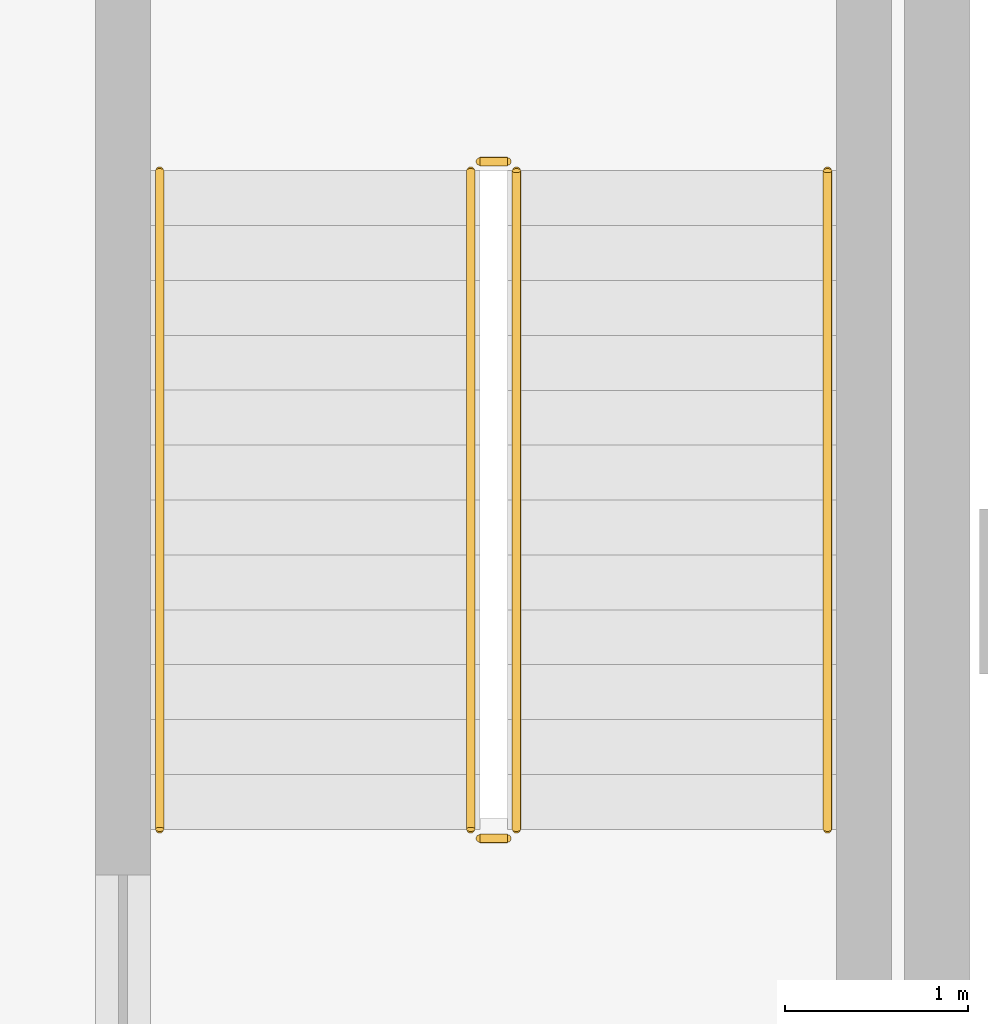
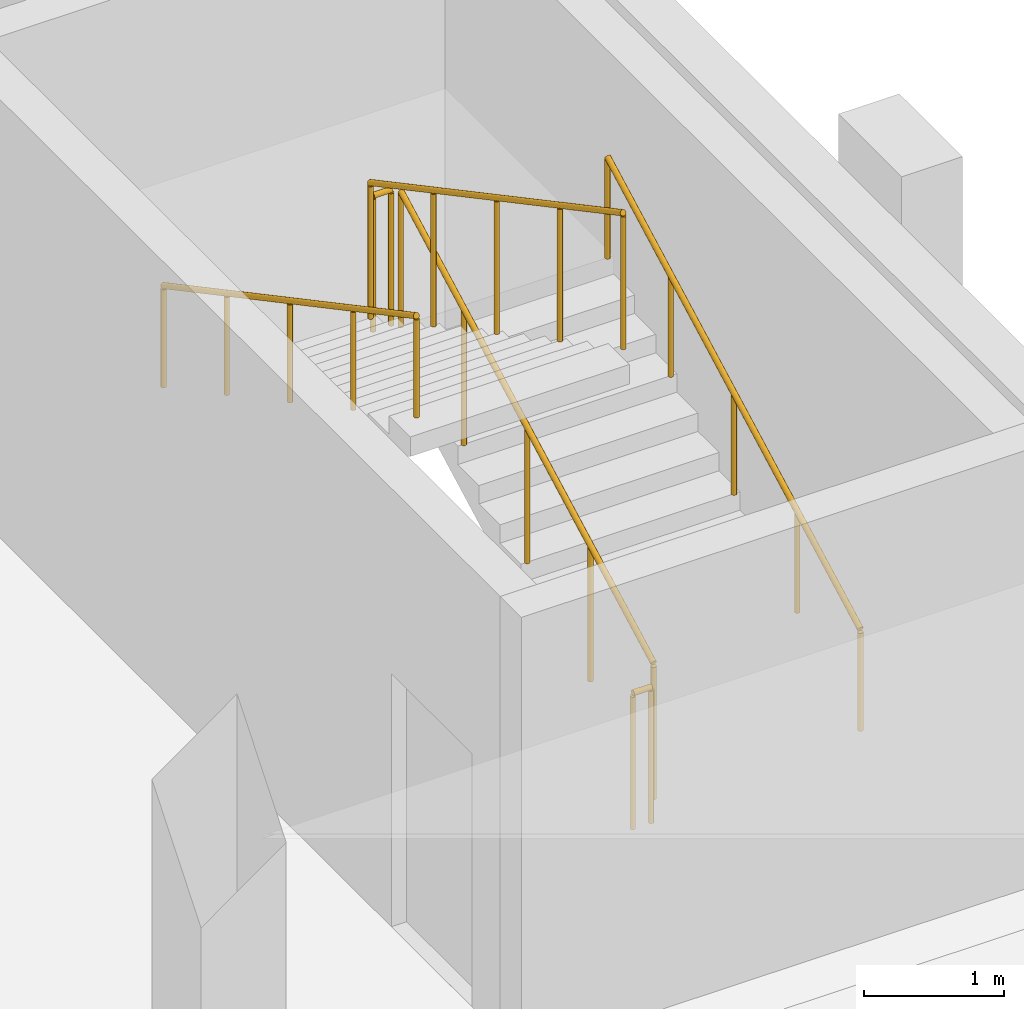
# One storey, part 61 of 62: 6 railings.
"""IFC4 building model written with IfcOpenShell, lengths in metres."""

from ifc_helpers import new_model, si_unit, direction, frame, origin, origin_2d, place, context, subcontext, project, spatial, circle, extrude, material, type_object, element, save


model = new_model("IFC4")

# Units and contexts
model_context = context("Model", 3, precision=1e-05, world=origin(), true_north=direction((0.0, 1.0)))
body_context = subcontext(model_context, "Body", "Model", "MODEL_VIEW")
ifc_project = project(units=[si_unit("LENGTHUNIT", "METRE"), si_unit("AREAUNIT", "SQUARE_METRE"), si_unit("VOLUMEUNIT", "CUBIC_METRE"), si_unit("PLANEANGLEUNIT", "RADIAN"), si_unit("MASSUNIT", "GRAM", prefix="KILO")], contexts=[model_context])

# Site, building, storey
site_placement = place(None, origin())
site = spatial("IfcSite", under=ifc_project, at=site_placement, CompositionType="ELEMENT")
building_placement = place(site_placement, origin())
building = spatial("IfcBuilding", under=site, at=building_placement, Name="Valkovuoma Quantum and Materials Research Institute", CompositionType="ELEMENT")
storey_placement = place(building_placement, frame((0.0, 0.0, 8.9599609375)))
storey = spatial("IfcBuildingStorey", under=building, at=storey_placement, Name="L02", CompositionType="ELEMENT", Elevation=8.9599609375)

# Railings
ifc_material_1 = material(Name="Painted steel stair balustrade", Category="steel")
railing_type_1 = type_object("IfcRailingType", Name="Rail-GRD-ST", PredefinedType="BALUSTRADE", material=ifc_material_1)
railing_1_placement = place(storey_placement, frame((163.300048828125, 59.89990234375, 0.16015625)))
element("IfcRailing", 1, at=railing_1_placement, inside=storey, type_object=railing_type_1, Name="L02 ST-3 stair guard 1", PredefinedType="BALUSTRADE", context=body_context, shape_type="SweptSolid", body=[
    extrude(circle(Radius=0.02392578125, at=origin_2d()), frame((0.0, 0.0, 1.17578125), z_axis=(0.0, 0.882366192074, 0.470563389019), x_axis=(-1.0, 0.0, 0.0)), (0.0, 0.0, 1.0), 4.080078125),
    extrude(circle(Radius=0.02099609375, at=origin_2d()), origin(), (0.0, 0.0, 1.0), 1.15185546875),
    extrude(circle(Radius=0.02099609375, at=origin_2d()), frame((0.0, 0.89990234375, 0.47998046875)), (0.0, 0.0, 1.0), 1.15185546875),
    extrude(circle(Radius=0.02099609375, at=origin_2d()), frame((0.0, 1.800048828125, 0.9599609375)), (0.0, 0.0, 1.0), 1.15185546875),
    extrude(circle(Radius=0.02099609375, at=origin_2d()), frame((0.0, 2.7001953125, 1.43994140625)), (0.0, 0.0, 1.0), 1.15185546875),
    extrude(circle(Radius=0.02099609375, at=origin_2d()), frame((0.0, 3.60009765625, 1.919921875)), (0.0, 0.0, 1.0), 1.15185546875),
])
railing_2_placement = place(storey_placement, frame((163.25, 63.550048828125, 2.080078125)))
element("IfcRailing", 2, at=railing_2_placement, inside=storey, type_object=railing_type_1, Name="L02 ST-3 stair guard 2", PredefinedType="BALUSTRADE", context=body_context, shape_type="SweptSolid", body=[
    extrude(circle(Radius=0.02392578125, at=origin_2d()), frame((0.0, 0.0, 1.17578125), z_axis=(-1.0, 0.0, 0.0), x_axis=(0.0, -1.0, 0.0)), (0.0, 0.0, 1.0), 0.14990234375),
    extrude(circle(Radius=0.02099609375, at=origin_2d()), origin(), (0.0, 0.0, 1.0), 1.15185546875),
    extrude(circle(Radius=0.02099609375, at=origin_2d()), frame((-0.14990234375, 0.0, 0.0)), (0.0, 0.0, 1.0), 1.15185546875),
])
railing_3_placement = place(storey_placement, frame((163.050048828125, 63.5, 2.239990234375)))
element("IfcRailing", 3, at=railing_3_placement, inside=storey, type_object=railing_type_1, Name="L02 ST-3 stair guard 3", PredefinedType="BALUSTRADE", context=body_context, shape_type="SweptSolid", body=[
    extrude(circle(Radius=0.02392578125, at=origin_2d()), frame((0.0, 0.0, 1.17578125), z_axis=(0.0, -0.882341346394, 0.470609974867), x_axis=(1.0, 0.0, 0.0)), (0.0, 0.0, 1.0), 4.080078125),
    extrude(circle(Radius=0.02099609375, at=origin_2d()), origin(), (0.0, 0.0, 1.0), 1.15185546875),
    extrude(circle(Radius=0.02099609375, at=origin_2d()), frame((0.0, -0.89990234375, 0.47998046875)), (0.0, 0.0, 1.0), 1.15185546875),
    extrude(circle(Radius=0.02099609375, at=origin_2d()), frame((0.0, -1.800048828125, 0.9599609375)), (0.0, 0.0, 1.0), 1.15185546875),
    extrude(circle(Radius=0.02099609375, at=origin_2d()), frame((0.0, -2.7001953125, 1.440185546875)), (0.0, 0.0, 1.0), 1.15185546875),
    extrude(circle(Radius=0.02099609375, at=origin_2d()), frame((0.0, -3.60009765625, 1.920166015625)), (0.0, 0.0, 1.0), 1.15185546875),
])
railing_4_placement = place(storey_placement, frame((163.25, 59.85009765625, 0.0)))
element("IfcRailing", 4, at=railing_4_placement, inside=storey, type_object=railing_type_1, Name="L02 ST-3 stair guard 4", PredefinedType="BALUSTRADE", context=body_context, shape_type="SweptSolid", body=[
    extrude(circle(Radius=0.02392578125, at=origin_2d()), frame((0.0, 0.0, 1.17578125), z_axis=(-1.0, 0.0, 0.0), x_axis=(0.0, -1.0, 0.0)), (0.0, 0.0, 1.0), 0.14990234375),
    extrude(circle(Radius=0.02099609375, at=origin_2d()), origin(), (0.0, 0.0, 1.0), 1.15185546875),
    extrude(circle(Radius=0.02099609375, at=origin_2d()), frame((-0.14990234375, 0.0, 0.0)), (0.0, 0.0, 1.0), 1.15185546875),
])
ifc_material_2 = material(Name="Brushed stainless steel handrail", Category="steel")
railing_type_2 = type_object("IfcRailingType", Name="Rail-HR-ST", PredefinedType="HANDRAIL", material=ifc_material_2)
railing_5_placement = place(storey_placement, frame((165.0, 59.89990234375, 0.16015625)))
element("IfcRailing", 5, at=railing_5_placement, inside=storey, type_object=railing_type_2, Name="L02 ST-3 stair handrail 1", PredefinedType="HANDRAIL", context=body_context, shape_type="SweptSolid", body=[
    extrude(circle(Radius=0.02392578125, at=origin_2d()), frame((0.0, 0.0, 0.8759765625), z_axis=(0.0, 0.882366192074, 0.470563389019), x_axis=(-1.0, 0.0, 0.0)), (0.0, 0.0, 1.0), 4.080078125),
    extrude(circle(Radius=0.02099609375, at=origin_2d()), origin(), (0.0, 0.0, 1.0), 0.851806640625),
    extrude(circle(Radius=0.02099609375, at=origin_2d()), frame((0.0, 0.89990234375, 0.47998046875)), (0.0, 0.0, 1.0), 0.851806640625),
    extrude(circle(Radius=0.02099609375, at=origin_2d()), frame((0.0, 1.800048828125, 0.9599609375)), (0.0, 0.0, 1.0), 0.851806640625),
    extrude(circle(Radius=0.02099609375, at=origin_2d()), frame((0.0, 2.7001953125, 1.43994140625)), (0.0, 0.0, 1.0), 0.851806640625),
    extrude(circle(Radius=0.02099609375, at=origin_2d()), frame((0.0, 3.60009765625, 1.919921875)), (0.0, 0.0, 1.0), 0.851806640625),
])
railing_6_placement = place(storey_placement, frame((161.35009765625, 63.5, 2.239990234375)))
element("IfcRailing", 6, at=railing_6_placement, inside=storey, type_object=railing_type_2, Name="L02 ST-3 stair handrail 2", PredefinedType="HANDRAIL", context=body_context, shape_type="SweptSolid", body=[
    extrude(circle(Radius=0.02392578125, at=origin_2d()), frame((0.0, 0.0, 0.8759765625), z_axis=(0.0, -0.882341346394, 0.470609974867), x_axis=(1.0, 0.0, 0.0)), (0.0, 0.0, 1.0), 4.080078125),
    extrude(circle(Radius=0.02099609375, at=origin_2d()), origin(), (0.0, 0.0, 1.0), 0.851806640625),
    extrude(circle(Radius=0.02099609375, at=origin_2d()), frame((0.0, -0.89990234375, 0.47998046875)), (0.0, 0.0, 1.0), 0.851806640625),
    extrude(circle(Radius=0.02099609375, at=origin_2d()), frame((0.0, -1.800048828125, 0.9599609375)), (0.0, 0.0, 1.0), 0.851806640625),
    extrude(circle(Radius=0.02099609375, at=origin_2d()), frame((0.0, -2.7001953125, 1.440185546875)), (0.0, 0.0, 1.0), 0.851806640625),
    extrude(circle(Radius=0.02099609375, at=origin_2d()), frame((0.0, -3.60009765625, 1.920166015625)), (0.0, 0.0, 1.0), 0.851806640625),
])

save(model, "model.ifc")
